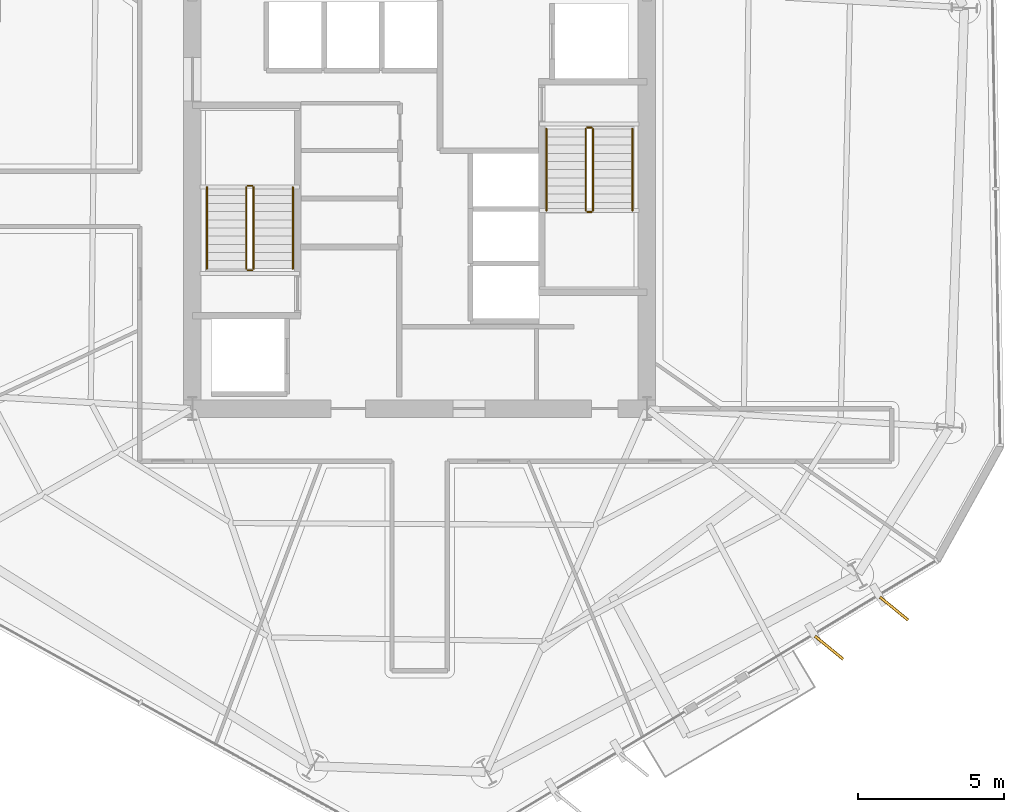
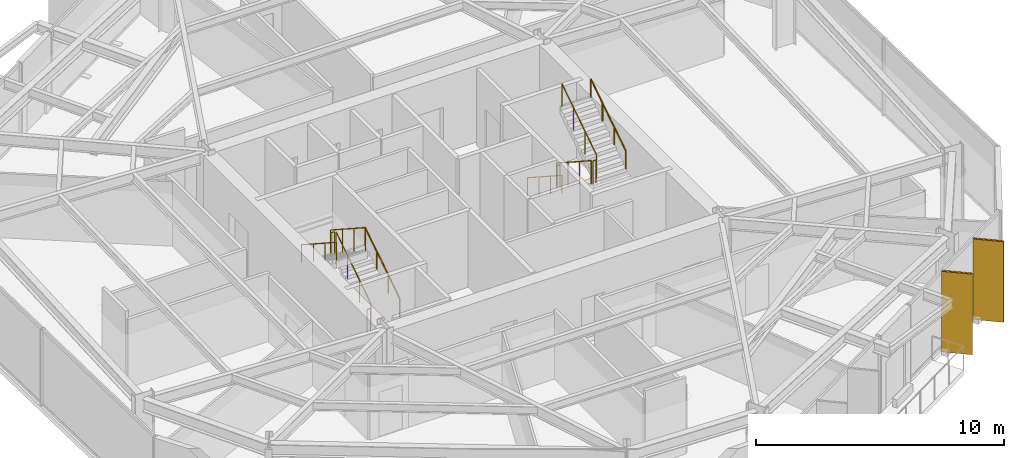
# One storey, part 10 of 11: 12 railings, 2 coverings, 2 shading devices.
"""IFC4 building model written with IfcOpenShell, lengths in metres."""

from ifc_helpers import new_model, si_unit, direction, frame, origin, origin_2d, place, context, subcontext, project, spatial, rectangle, circle, extrude, material, layer, layer_set, type_object, element, save


model = new_model("IFC4")

# Units and contexts
model_context = context("Model", 3, precision=1e-05, world=origin(), true_north=direction((0.0, 1.0)))
body_context = subcontext(model_context, "Body", "Model", "MODEL_VIEW")
ifc_project = project(units=[si_unit("LENGTHUNIT", "METRE"), si_unit("AREAUNIT", "SQUARE_METRE"), si_unit("VOLUMEUNIT", "CUBIC_METRE"), si_unit("PLANEANGLEUNIT", "RADIAN"), si_unit("MASSUNIT", "GRAM", prefix="KILO")], contexts=[model_context])

# Site, building, storey
site_placement = place(None, origin())
site = spatial("IfcSite", under=ifc_project, at=site_placement, CompositionType="ELEMENT")
building_placement = place(site_placement, origin())
building = spatial("IfcBuilding", under=site, at=building_placement, Name="Kranzbogen Civic Tower", CompositionType="ELEMENT")
storey_placement = place(building_placement, frame((0.0, 0.0, 146.39990234375)))
storey = spatial("IfcBuildingStorey", under=building, at=storey_placement, Name="L35", CompositionType="ELEMENT", Elevation=146.39990234375)

# Coverings
ifc_material_1 = material(Name="Pale Anodised Aluminium", Category="aluminium")
ifc_layer = layer(ifc_material_1, 0.02490234375, Name="Pale Anodised Aluminium")
ifc_layer_set = layer_set([ifc_layer], Name="Pale Anodised Aluminium")
covering_type = type_object("IfcCoveringType", Name="Anodised Aluminium Vertical Fin Cladding 25 mm", PredefinedType="CLADDING", material=ifc_layer_set)
for number, where, z_axis, x_axis, name in (
    (1, (39.050048828125, 9.597900390625, -0.139892578125), (0.0, 0.0, 1.0), (0.774127549164, -0.633029649878, 0.0), "L35 vertical fin pale-metal cladding F5-5"),
    (2, (41.279052734375, 10.93798828125, -0.139892578125), (0.0, 0.0, 1.0), (0.774127549164, -0.633029649878, 0.0), "L35 vertical fin pale-metal cladding F5-6"),
):
    element("IfcCovering", number, at=place(storey_placement, frame(where, z_axis=z_axis, x_axis=x_axis)), inside=storey, type_object=covering_type, Name=name, PredefinedType="CLADDING", context=body_context, shape_type="SweptSolid", body=[
        extrude(rectangle(XDim=1.25, YDim=0.10009765625, at=origin_2d()), origin(), (0.0, 0.0, 1.0), 3.9599609375),
    ])

# Shading devices
ifc_material_2 = material(Name="Anodised Bronze Aluminium", Category="aluminium")
shading_device_type = type_object("IfcShadingDeviceType", Name="Anodised Bronze Vertical Facade Fin 1250x80", PredefinedType="USERDEFINED", material=ifc_material_2)
for number, where, z_axis, x_axis, name in (
    (3, (39.050048828125, 9.597900390625, -0.139892578125), (0.0, 0.0, 1.0), (0.774127549164, -0.633029649878, 0.0), "L35 vertical exterior shading fin F5-5"),
    (4, (41.279052734375, 10.93798828125, -0.139892578125), (0.0, 0.0, 1.0), (0.774127549164, -0.633029649878, 0.0), "L35 vertical exterior shading fin F5-6"),
):
    element("IfcShadingDevice", number, at=place(storey_placement, frame(where, z_axis=z_axis, x_axis=x_axis)), inside=storey, type_object=shading_device_type, Name=name, ObjectType="FIN", PredefinedType="USERDEFINED", context=body_context, shape_type="SweptSolid", body=[
        extrude(rectangle(XDim=1.25, YDim=0.080078125, at=origin_2d()), origin(), (0.0, 0.0, 1.0), 3.9599609375),
    ])

# Railings
ifc_material_3 = material(Name="Steel S355", Category="steel")
railing_type_1 = type_object("IfcRailingType", Name="Internal Stair and Void Steel Guardrail 1150", PredefinedType="GUARDRAIL", material=ifc_material_3)
railing_1_placement = place(storey_placement, frame((19.300048828125, 22.60009765625, 0.181884765625)))
element("IfcRailing", 5, at=railing_1_placement, inside=storey, type_object=railing_type_1, Name="L35 ST-T1 stair guard 1", PredefinedType="GUARDRAIL", context=body_context, shape_type="SweptSolid", body=[
    extrude(circle(Radius=0.02392578125, at=origin_2d()), frame((0.0, 0.0, 1.1259765625), z_axis=(0.0, 0.83868413941, 0.544618136222), x_axis=(-1.0, 0.0, 0.0)), (0.0, 0.0, 1.0), 3.33837890625),
    extrude(circle(Radius=0.02099609375, at=origin_2d()), origin(), (0.0, 0.0, 1.0), 1.101806640625),
    extrude(circle(Radius=0.02099609375, at=origin_2d()), frame((0.0, 0.933349609375, 0.60595703125)), (0.0, 0.0, 1.0), 1.101806640625),
    extrude(circle(Radius=0.02099609375, at=origin_2d()), frame((0.0, 1.866455078125, 1.212158203125)), (0.0, 0.0, 1.0), 1.101806640625),
    extrude(circle(Radius=0.02099609375, at=origin_2d()), frame((0.0, 2.7998046875, 1.818115234375)), (0.0, 0.0, 1.0), 1.101806640625),
])
railing_2_placement = place(storey_placement, frame((19.25, 25.449951171875, 2.0)))
element("IfcRailing", 6, at=railing_2_placement, inside=storey, type_object=railing_type_1, Name="L35 ST-T1 stair guard 2", PredefinedType="GUARDRAIL", context=body_context, shape_type="SweptSolid", body=[
    extrude(circle(Radius=0.02392578125, at=origin_2d()), frame((0.0, 0.0, 1.1259765625), z_axis=(-1.0, 0.0, 0.0), x_axis=(0.0, -1.0, 0.0)), (0.0, 0.0, 1.0), 0.14990234375),
    extrude(circle(Radius=0.02099609375, at=origin_2d()), origin(), (0.0, 0.0, 1.0), 1.101806640625),
    extrude(circle(Radius=0.02099609375, at=origin_2d()), frame((-0.14990234375, 0.0, 0.0)), (0.0, 0.0, 1.0), 1.101806640625),
])
railing_3_placement = place(storey_placement, frame((19.050048828125, 25.39990234375, 2.181884765625)))
element("IfcRailing", 7, at=railing_3_placement, inside=storey, type_object=railing_type_1, Name="L35 ST-T1 stair guard 3", PredefinedType="GUARDRAIL", context=body_context, shape_type="SweptSolid", body=[
    extrude(circle(Radius=0.02392578125, at=origin_2d()), frame((0.0, 0.0, 1.1259765625), z_axis=(0.0, -0.83868413941, 0.544618136222), x_axis=(1.0, 0.0, 0.0)), (0.0, 0.0, 1.0), 3.33837890625),
    extrude(circle(Radius=0.02099609375, at=origin_2d()), origin(), (0.0, 0.0, 1.0), 1.101806640625),
    extrude(circle(Radius=0.02099609375, at=origin_2d()), frame((0.0, -0.933349609375, 0.60595703125)), (0.0, 0.0, 1.0), 1.101806640625),
    extrude(circle(Radius=0.02099609375, at=origin_2d()), frame((0.0, -1.866455078125, 1.212158203125)), (0.0, 0.0, 1.0), 1.101806640625),
    extrude(circle(Radius=0.02099609375, at=origin_2d()), frame((0.0, -2.7998046875, 1.818115234375)), (0.0, 0.0, 1.0), 1.101806640625),
])
railing_4_placement = place(storey_placement, frame((19.25, 22.550048828125, 0.0)))
element("IfcRailing", 8, at=railing_4_placement, inside=storey, type_object=railing_type_1, Name="L35 ST-T1 stair guard 4", PredefinedType="GUARDRAIL", context=body_context, shape_type="SweptSolid", body=[
    extrude(circle(Radius=0.02392578125, at=origin_2d()), frame((0.0, 0.0, 1.1259765625), z_axis=(-1.0, 0.0, 0.0), x_axis=(0.0, -1.0, 0.0)), (0.0, 0.0, 1.0), 0.14990234375),
    extrude(circle(Radius=0.02099609375, at=origin_2d()), origin(), (0.0, 0.0, 1.0), 1.101806640625),
    extrude(circle(Radius=0.02099609375, at=origin_2d()), frame((-0.14990234375, 0.0, 0.0)), (0.0, 0.0, 1.0), 1.101806640625),
])
railing_5_placement = place(storey_placement, frame((30.699951171875, 27.39990234375, 0.181884765625)))
element("IfcRailing", 9, at=railing_5_placement, inside=storey, type_object=railing_type_1, Name="L35 ST-T2 stair guard 1", PredefinedType="GUARDRAIL", context=body_context, shape_type="SweptSolid", body=[
    extrude(circle(Radius=0.02392578125, at=origin_2d()), frame((0.0, 0.0, 1.1259765625), z_axis=(0.0, -0.83868413941, 0.544618136222), x_axis=(1.0, 0.0, 0.0)), (0.0, 0.0, 1.0), 3.33837890625),
    extrude(circle(Radius=0.02099609375, at=origin_2d()), origin(), (0.0, 0.0, 1.0), 1.101806640625),
    extrude(circle(Radius=0.02099609375, at=origin_2d()), frame((0.0, -0.933349609375, 0.60595703125)), (0.0, 0.0, 1.0), 1.101806640625),
    extrude(circle(Radius=0.02099609375, at=origin_2d()), frame((0.0, -1.866455078125, 1.212158203125)), (0.0, 0.0, 1.0), 1.101806640625),
    extrude(circle(Radius=0.02099609375, at=origin_2d()), frame((0.0, -2.7998046875, 1.818115234375)), (0.0, 0.0, 1.0), 1.101806640625),
])
railing_6_placement = place(storey_placement, frame((30.75, 24.550048828125, 2.0)))
element("IfcRailing", 10, at=railing_6_placement, inside=storey, type_object=railing_type_1, Name="L35 ST-T2 stair guard 2", PredefinedType="GUARDRAIL", context=body_context, shape_type="SweptSolid", body=[
    extrude(circle(Radius=0.02392578125, at=origin_2d()), frame((0.0, 0.0, 1.1259765625), z_axis=(1.0, 0.0, 0.0), x_axis=(0.0, 1.0, 0.0)), (0.0, 0.0, 1.0), 0.14990234375),
    extrude(circle(Radius=0.02099609375, at=origin_2d()), origin(), (0.0, 0.0, 1.0), 1.101806640625),
    extrude(circle(Radius=0.02099609375, at=origin_2d()), frame((0.14990234375, 0.0, 0.0)), (0.0, 0.0, 1.0), 1.101806640625),
])
railing_7_placement = place(storey_placement, frame((30.949951171875, 24.60009765625, 2.181884765625)))
element("IfcRailing", 11, at=railing_7_placement, inside=storey, type_object=railing_type_1, Name="L35 ST-T2 stair guard 3", PredefinedType="GUARDRAIL", context=body_context, shape_type="SweptSolid", body=[
    extrude(circle(Radius=0.02392578125, at=origin_2d()), frame((0.0, 0.0, 1.1259765625), z_axis=(0.0, 0.83868413941, 0.544618136222), x_axis=(-1.0, 0.0, 0.0)), (0.0, 0.0, 1.0), 3.33837890625),
    extrude(circle(Radius=0.02099609375, at=origin_2d()), origin(), (0.0, 0.0, 1.0), 1.101806640625),
    extrude(circle(Radius=0.02099609375, at=origin_2d()), frame((0.0, 0.933349609375, 0.60595703125)), (0.0, 0.0, 1.0), 1.101806640625),
    extrude(circle(Radius=0.02099609375, at=origin_2d()), frame((0.0, 1.866455078125, 1.212158203125)), (0.0, 0.0, 1.0), 1.101806640625),
    extrude(circle(Radius=0.02099609375, at=origin_2d()), frame((0.0, 2.7998046875, 1.818115234375)), (0.0, 0.0, 1.0), 1.101806640625),
])
railing_8_placement = place(storey_placement, frame((30.75, 27.449951171875, 0.0)))
element("IfcRailing", 12, at=railing_8_placement, inside=storey, type_object=railing_type_1, Name="L35 ST-T2 stair guard 4", PredefinedType="GUARDRAIL", context=body_context, shape_type="SweptSolid", body=[
    extrude(circle(Radius=0.02392578125, at=origin_2d()), frame((0.0, 0.0, 1.1259765625), z_axis=(1.0, 0.0, 0.0), x_axis=(0.0, 1.0, 0.0)), (0.0, 0.0, 1.0), 0.14990234375),
    extrude(circle(Radius=0.02099609375, at=origin_2d()), origin(), (0.0, 0.0, 1.0), 1.101806640625),
    extrude(circle(Radius=0.02099609375, at=origin_2d()), frame((0.14990234375, 0.0, 0.0)), (0.0, 0.0, 1.0), 1.101806640625),
])
railing_type_2 = type_object("IfcRailingType", Name="Tubular Stainless Stair Wall Handrail 900", PredefinedType="HANDRAIL", material=ifc_material_1)
railing_9_placement = place(storey_placement, frame((20.64990234375, 22.60009765625, 0.181884765625)))
element("IfcRailing", 13, at=railing_9_placement, inside=storey, type_object=railing_type_2, Name="L35 ST-T1 stair handrail 1", PredefinedType="HANDRAIL", context=body_context, shape_type="SweptSolid", body=[
    extrude(circle(Radius=0.02392578125, at=origin_2d()), frame((0.0, 0.0, 0.8759765625), z_axis=(0.0, 0.83868413941, 0.544618136222), x_axis=(-1.0, 0.0, 0.0)), (0.0, 0.0, 1.0), 3.33837890625),
    extrude(circle(Radius=0.02099609375, at=origin_2d()), origin(), (0.0, 0.0, 1.0), 0.851806640625),
    extrude(circle(Radius=0.02099609375, at=origin_2d()), frame((0.0, 0.933349609375, 0.60595703125)), (0.0, 0.0, 1.0), 0.851806640625),
    extrude(circle(Radius=0.02099609375, at=origin_2d()), frame((0.0, 1.866455078125, 1.212158203125)), (0.0, 0.0, 1.0), 0.851806640625),
    extrude(circle(Radius=0.02099609375, at=origin_2d()), frame((0.0, 2.7998046875, 1.818115234375)), (0.0, 0.0, 1.0), 0.851806640625),
])
for number, where, name in (
    (14, (17.699951171875, 25.39990234375, 2.181884765625), "L35 ST-T1 stair handrail 2"),
    (15, (29.35009765625, 27.39990234375, 0.181884765625), "L35 ST-T2 stair handrail 1"),
):
    element("IfcRailing", number, at=place(storey_placement, frame(where)), inside=storey, type_object=railing_type_2, Name=name, PredefinedType="HANDRAIL", context=body_context, shape_type="SweptSolid", body=[
        extrude(circle(Radius=0.02392578125, at=origin_2d()), frame((0.0, 0.0, 0.8759765625), z_axis=(0.0, -0.83868413941, 0.544618136222), x_axis=(1.0, 0.0, 0.0)), (0.0, 0.0, 1.0), 3.33837890625),
        extrude(circle(Radius=0.02099609375, at=origin_2d()), origin(), (0.0, 0.0, 1.0), 0.851806640625),
        extrude(circle(Radius=0.02099609375, at=origin_2d()), frame((0.0, -0.933349609375, 0.60595703125)), (0.0, 0.0, 1.0), 0.851806640625),
        extrude(circle(Radius=0.02099609375, at=origin_2d()), frame((0.0, -1.866455078125, 1.212158203125)), (0.0, 0.0, 1.0), 0.851806640625),
        extrude(circle(Radius=0.02099609375, at=origin_2d()), frame((0.0, -2.7998046875, 1.818115234375)), (0.0, 0.0, 1.0), 0.851806640625),
    ])
railing_10_placement = place(storey_placement, frame((32.300048828125, 24.60009765625, 2.181884765625)))
element("IfcRailing", 16, at=railing_10_placement, inside=storey, type_object=railing_type_2, Name="L35 ST-T2 stair handrail 2", PredefinedType="HANDRAIL", context=body_context, shape_type="SweptSolid", body=[
    extrude(circle(Radius=0.02392578125, at=origin_2d()), frame((0.0, 0.0, 0.8759765625), z_axis=(0.0, 0.83868413941, 0.544618136222), x_axis=(-1.0, 0.0, 0.0)), (0.0, 0.0, 1.0), 3.33837890625),
    extrude(circle(Radius=0.02099609375, at=origin_2d()), origin(), (0.0, 0.0, 1.0), 0.851806640625),
    extrude(circle(Radius=0.02099609375, at=origin_2d()), frame((0.0, 0.933349609375, 0.60595703125)), (0.0, 0.0, 1.0), 0.851806640625),
    extrude(circle(Radius=0.02099609375, at=origin_2d()), frame((0.0, 1.866455078125, 1.212158203125)), (0.0, 0.0, 1.0), 0.851806640625),
    extrude(circle(Radius=0.02099609375, at=origin_2d()), frame((0.0, 2.7998046875, 1.818115234375)), (0.0, 0.0, 1.0), 0.851806640625),
])

save(model, "model.ifc")
